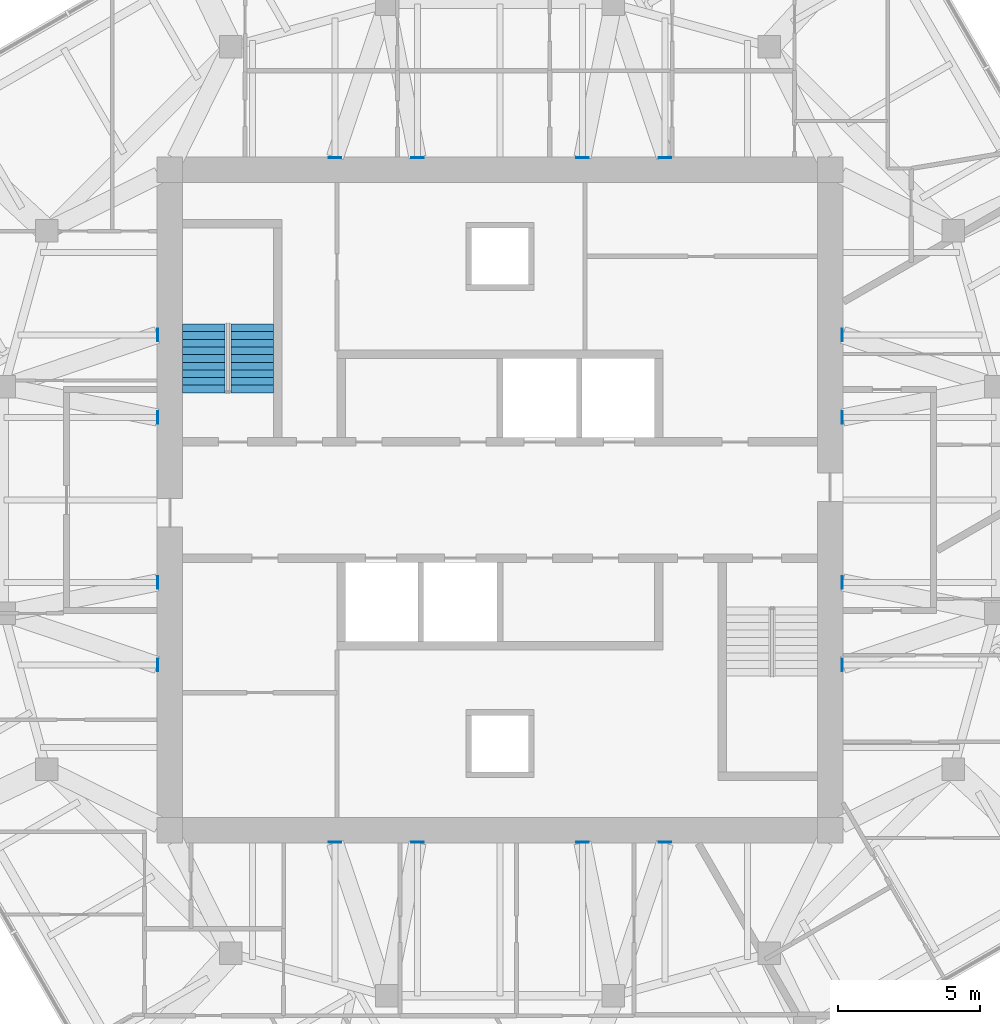
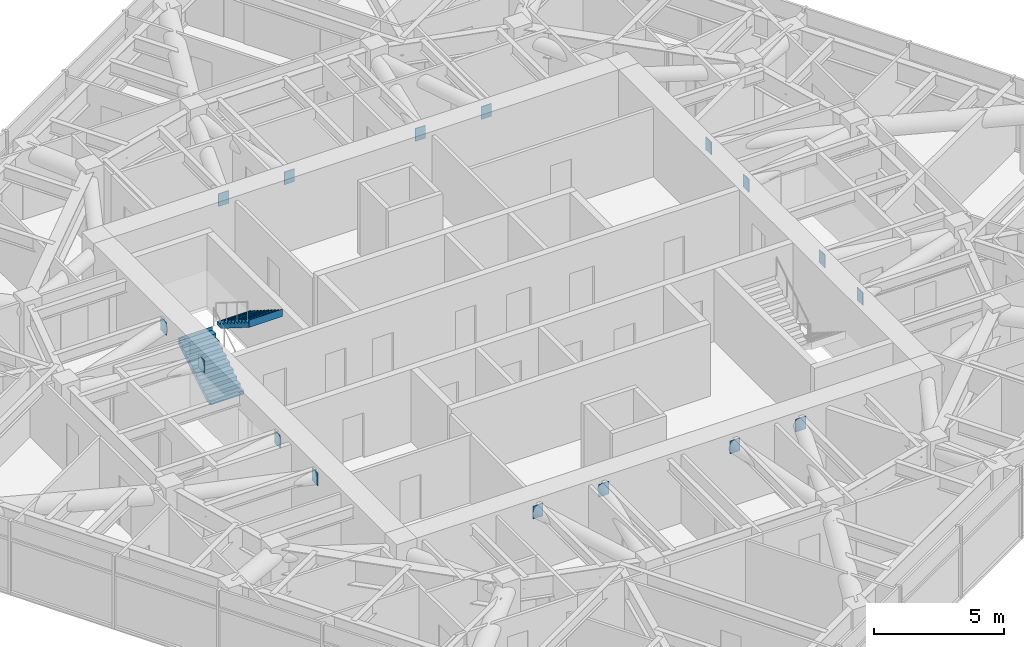
# One storey, part 15 of 16: 16 discrete accessories, 2 stair flights, 1 element without a shape of its own.
"""IFC4 building model written with IfcOpenShell, lengths in metres."""

from ifc_helpers import new_model, si_unit, direction, frame, origin, origin_2d, place, context, subcontext, project, spatial, polyline, rectangle, outline, extrude, material, layer, layer_set, type_object, element, aggregate, save


model = new_model("IFC4")

# Units and contexts
model_context = context("Model", 3, precision=1e-05, world=origin(), true_north=direction((0.0, 1.0)))
body_context = subcontext(model_context, "Body", "Model", "MODEL_VIEW")
ifc_project = project(units=[si_unit("LENGTHUNIT", "METRE"), si_unit("AREAUNIT", "SQUARE_METRE"), si_unit("VOLUMEUNIT", "CUBIC_METRE"), si_unit("PLANEANGLEUNIT", "RADIAN"), si_unit("MASSUNIT", "GRAM", prefix="KILO")], contexts=[model_context])

# Site, building, storey
site_placement = place(None, origin())
site = spatial("IfcSite", under=ifc_project, at=site_placement, CompositionType="ELEMENT")
building_placement = place(site_placement, origin())
building = spatial("IfcBuilding", under=site, at=building_placement, Name="Torsade Residences", CompositionType="ELEMENT")
storey_placement = place(building_placement, frame((0.0, 0.0, 232.0)))
storey = spatial("IfcBuildingStorey", under=building, at=storey_placement, Name="L64", CompositionType="ELEMENT", Elevation=232.0)

# Stair, stair flights
ifc_material_1 = material(Name="Precast concrete 40 MPa", Category="concrete")
stair_type = type_object("IfcStairType", Name="HALF-TURN FIRE STAIR 1500x3400", PredefinedType="HALF_TURN_STAIR", material=ifc_material_1)
stair_placement = place(storey_placement, origin())
stair = element("IfcStair", 1, at=stair_placement, inside=storey, type_object=stair_type, Name="Stair ST1 L64", PredefinedType="HALF_TURN_STAIR")
ifc_material_2 = material(Name="Precast concrete 40 MPa", Category="concrete")
stair_flight_type = type_object("IfcStairFlightType", Name="PRECAST STAIR FLIGHT 1500x1700", PredefinedType="STRAIGHT", material=ifc_material_2)
stair_flight_1_placement = place(storey_placement, frame((29.550048828125, 33.780029296875, 0.0), z_axis=(0.0, 0.0, 1.0), x_axis=(0.0, 1.0, 0.0)))
stair_flight_1 = element("IfcStairFlight", 2, at=stair_flight_1_placement, type_object=stair_flight_type, Name="ST1 flight 1", NumberOfRisers=10, NumberOfTreads=9, PredefinedType="STRAIGHT", RiserHeight=0.17, TreadLength=0.27, context=body_context, shape_type="SweptSolid", body=[
    extrude(outline(polyline([(0.0, 0.0), (0.0, 0.169921875), (0.27001953125, 0.169921875), (0.27001953125, 0.340087890625), (0.5400390625, 0.340087890625), (0.5400390625, 0.510009765625), (0.81005859375, 0.510009765625), (0.81005859375, 0.679931640625), (1.080078125, 0.679931640625), (1.080078125, 0.85009765625), (1.35009765625, 0.85009765625), (1.35009765625, 1.02001953125), (1.6201171875, 1.02001953125), (1.6201171875, 1.18994140625), (1.889892578125, 1.18994140625), (1.889892578125, 1.360107421875), (2.159912109375, 1.360107421875), (2.159912109375, 1.530029296875), (2.429931640625, 1.530029296875), (2.429931640625, 1.699951171875), (2.43994140625, 1.699951171875), (2.43994140625, 1.352783203125), (2.429931640625, 1.352783203125), (0.28125, 0.0), (0.0, 0.0)])), frame((0.0, 0.75, 0.0), z_axis=(0.0, -1.0, 0.0), x_axis=(1.0, 0.0, 0.0)), (0.0, 0.0, 1.0), 1.5),
])
stair_flight_2_placement = place(storey_placement, frame((31.25, 36.2099609375, 1.699951171875), z_axis=(0.0, 0.0, 1.0), x_axis=(0.0, -1.0, 0.0)))
stair_flight_2 = element("IfcStairFlight", 3, at=stair_flight_2_placement, type_object=stair_flight_type, Name="ST1 flight 2", NumberOfRisers=10, NumberOfTreads=9, PredefinedType="STRAIGHT", RiserHeight=0.17, TreadLength=0.27, context=body_context, shape_type="SweptSolid", body=[
    extrude(outline(polyline([(0.0, 0.0), (0.0, 0.169921875), (0.27001953125, 0.169921875), (0.27001953125, 0.340087890625), (0.5400390625, 0.340087890625), (0.5400390625, 0.510009765625), (0.81005859375, 0.510009765625), (0.81005859375, 0.679931640625), (1.080078125, 0.679931640625), (1.080078125, 0.85009765625), (1.35009765625, 0.85009765625), (1.35009765625, 1.02001953125), (1.6201171875, 1.02001953125), (1.6201171875, 1.18994140625), (1.889892578125, 1.18994140625), (1.889892578125, 1.360107421875), (2.159912109375, 1.360107421875), (2.159912109375, 1.530029296875), (2.429931640625, 1.530029296875), (2.429931640625, 1.699951171875), (2.43994140625, 1.699951171875), (2.43994140625, 1.352783203125), (2.429931640625, 1.352783203125), (0.28125, 0.0), (0.0, 0.0)])), frame((0.0, 0.75, 0.0), z_axis=(0.0, -1.0, 0.0), x_axis=(1.0, 0.0, 0.0)), (0.0, 0.0, 1.0), 1.5),
])
aggregate(stair, [stair_flight_1, stair_flight_2])

# Discrete accessories
ifc_material_3 = material(Name="Steel grade 350", Category="steel")
ifc_layer = layer(ifc_material_3, 0.031982421875)
ifc_layer_set = layer_set([ifc_layer], Name="Steel grade 350")
discrete_accessory_type = type_object("IfcDiscreteAccessoryType", Name="CAST-IN PLATE 450x600x32", PredefinedType="ANCHORPLATE", material=ifc_layer_set)
for number, where, z_axis, x_axis, name in (
    (4, (52.083984375, 27.08740234375, 2.48583984375), (0.0, 0.0, 1.0), (1.0, 0.0, 0.0), "Cast-in plate PB1 PB-L65-IR01IE03"),
    (5, (52.083984375, 24.175048828125, 2.48583984375), (0.0, 0.0, 1.0), (1.0, 0.0, 0.0), "Cast-in plate PB1 PB-L65-IR01IE02"),
    (6, (52.083984375, 32.91259765625, 2.48583984375), (0.0, 0.0, 1.0), (1.0, 0.0, 0.0), "Cast-in plate PB1 PB-L65-IR02IE05"),
    (7, (52.083984375, 35.824951171875, 2.48583984375), (0.0, 0.0, 1.0), (1.0, 0.0, 0.0), "Cast-in plate PB1 PB-L65-IR02IE06"),
):
    element("IfcDiscreteAccessory", number, at=place(storey_placement, frame(where, z_axis=z_axis, x_axis=x_axis)), inside=storey, type_object=discrete_accessory_type, Name=name, PredefinedType="ANCHORPLATE", context=body_context, shape_type="SweptSolid", body=[
        extrude(rectangle(XDim=0.031982421875, YDim=0.449951171875, at=origin_2d()), origin(), (0.0, 0.0, 1.0), 0.60009765625),
    ])
for number, where, z_axis, x_axis, name in (
    (8, (42.91259765625, 42.083984375, 2.48583984375), (0.0, 0.0, 1.0), (1.0, 0.0, 0.0), "Cast-in plate PB1 PB-L65-IR05IN05"),
    (9, (45.824951171875, 42.083984375, 2.48583984375), (0.0, 0.0, 1.0), (1.0, 0.0, 0.0), "Cast-in plate PB1 PB-L65-IR05IN06"),
    (10, (37.08740234375, 42.083984375, 2.48583984375), (0.0, 0.0, 1.0), (1.0, 0.0, 0.0), "Cast-in plate PB1 PB-L65-IR06IN03"),
    (11, (34.175048828125, 42.083984375, 2.48583984375), (0.0, 0.0, 1.0), (1.0, 0.0, 0.0), "Cast-in plate PB1 PB-L65-IR06IN02"),
):
    element("IfcDiscreteAccessory", number, at=place(storey_placement, frame(where, z_axis=z_axis, x_axis=x_axis)), inside=storey, type_object=discrete_accessory_type, Name=name, PredefinedType="ANCHORPLATE", context=body_context, shape_type="SweptSolid", body=[
        extrude(rectangle(XDim=0.449951171875, YDim=0.031982421875, at=origin_2d()), origin(), (0.0, 0.0, 1.0), 0.60009765625),
    ])
for number, where, z_axis, x_axis, name in (
    (12, (27.916015625, 32.91259765625, 2.48583984375), (0.0, 0.0, 1.0), (1.0, 0.0, 0.0), "Cast-in plate PB1 PB-L65-IR09IW03"),
    (13, (27.916015625, 35.824951171875, 2.48583984375), (0.0, 0.0, 1.0), (1.0, 0.0, 0.0), "Cast-in plate PB1 PB-L65-IR09IW02"),
    (14, (27.916015625, 27.08740234375, 2.48583984375), (0.0, 0.0, 1.0), (1.0, 0.0, 0.0), "Cast-in plate PB1 PB-L65-IR10IW05"),
    (15, (27.916015625, 24.175048828125, 2.48583984375), (0.0, 0.0, 1.0), (1.0, 0.0, 0.0), "Cast-in plate PB1 PB-L65-IR10IW06"),
):
    element("IfcDiscreteAccessory", number, at=place(storey_placement, frame(where, z_axis=z_axis, x_axis=x_axis)), inside=storey, type_object=discrete_accessory_type, Name=name, PredefinedType="ANCHORPLATE", context=body_context, shape_type="SweptSolid", body=[
        extrude(rectangle(XDim=0.031982421875, YDim=0.449951171875, at=origin_2d()), origin(), (0.0, 0.0, 1.0), 0.60009765625),
    ])
for number, where, z_axis, x_axis, name in (
    (16, (37.08740234375, 17.916015625, 2.48583984375), (0.0, 0.0, 1.0), (1.0, 0.0, 0.0), "Cast-in plate PB1 PB-L65-IR13IS05"),
    (17, (34.175048828125, 17.916015625, 2.48583984375), (0.0, 0.0, 1.0), (1.0, 0.0, 0.0), "Cast-in plate PB1 PB-L65-IR13IS06"),
    (18, (42.91259765625, 17.916015625, 2.48583984375), (0.0, 0.0, 1.0), (1.0, 0.0, 0.0), "Cast-in plate PB1 PB-L65-IR14IS03"),
    (19, (45.824951171875, 17.916015625, 2.48583984375), (0.0, 0.0, 1.0), (1.0, 0.0, 0.0), "Cast-in plate PB1 PB-L65-IR14IS02"),
):
    element("IfcDiscreteAccessory", number, at=place(storey_placement, frame(where, z_axis=z_axis, x_axis=x_axis)), inside=storey, type_object=discrete_accessory_type, Name=name, PredefinedType="ANCHORPLATE", context=body_context, shape_type="SweptSolid", body=[
        extrude(rectangle(XDim=0.449951171875, YDim=0.031982421875, at=origin_2d()), origin(), (0.0, 0.0, 1.0), 0.60009765625),
    ])

save(model, "model.ifc")
